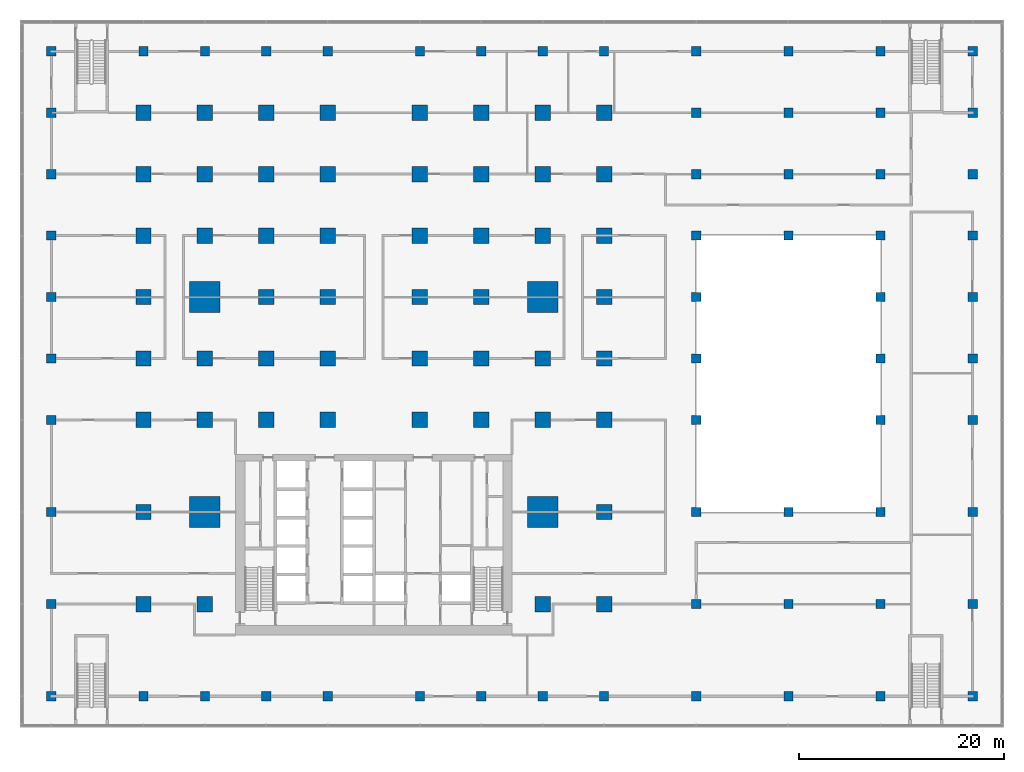
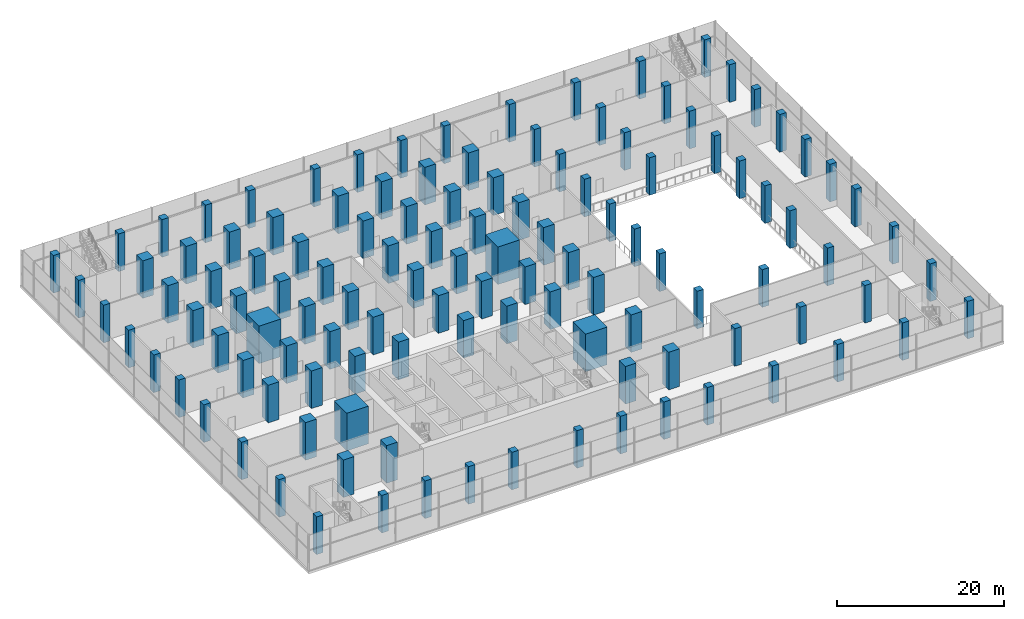
# One storey, part 1 of 22: 119 columns.
"""IFC4 building model written with IfcOpenShell, lengths in metres."""

from ifc_helpers import new_model, si_unit, direction, frame, origin, origin_2d, place, context, subcontext, project, spatial, rectangle, extrude, material, material_profile, profile_set, type_object, element, save


model = new_model("IFC4")

# Units and contexts
model_context = context("Model", 3, precision=1e-05, world=origin(), true_north=direction((0.0, 1.0)))
body_context = subcontext(model_context, "Body", "Model", "MODEL_VIEW")
ifc_project = project(units=[si_unit("LENGTHUNIT", "METRE"), si_unit("AREAUNIT", "SQUARE_METRE"), si_unit("VOLUMEUNIT", "CUBIC_METRE"), si_unit("PLANEANGLEUNIT", "RADIAN"), si_unit("MASSUNIT", "GRAM", prefix="KILO")], contexts=[model_context])

# Site, building, storey
site_placement = place(None, origin())
site = spatial("IfcSite", under=ifc_project, at=site_placement, CompositionType="ELEMENT")
building_placement = place(site_placement, origin())
building = spatial("IfcBuilding", under=site, at=building_placement, Name="Finial Court Residences", CompositionType="ELEMENT")
storey_placement = place(building_placement, frame((0.0, 0.0, 8.0)))
storey = spatial("IfcBuildingStorey", under=building, at=storey_placement, Name="L01", CompositionType="ELEMENT", Elevation=8.0)

# Columns
ifc_material_1 = material(Name="Concrete C80/95", Category="concrete")
ifc_material_profile_1 = material_profile(ifc_material_1, rectangle(XDim=1.5, YDim=1.5, at=origin_2d()), Name="1500x1500")
ifc_profile_set_1 = profile_set([ifc_material_profile_1], Name="Concrete C80/95")
column_type_1 = type_object("IfcColumnType", Name="Interior column 1500x1500 Concrete C80/95", PredefinedType="COLUMN", material=ifc_profile_set_1)
for number, where, z_axis, x_axis, name in (
    (1, (-22.5, -22.5, 0.0), (0.0, 0.0, 1.0), (1.0, 0.0, 0.0), "S:COL:L01:B2"),
    (2, (-22.5, -13.5, 0.0), (0.0, 0.0, 1.0), (1.0, 0.0, 0.0), "S:COL:L01:B3"),
    (3, (-22.5, -4.5, 0.0), (0.0, 0.0, 1.0), (1.0, 0.0, 0.0), "S:COL:L01:B4"),
    (4, (-22.5, 1.5, 0.0), (0.0, 0.0, 1.0), (1.0, 0.0, 0.0), "S:COL:L01:B5"),
    (5, (-22.5, 7.5, 0.0), (0.0, 0.0, 1.0), (1.0, 0.0, 0.0), "S:COL:L01:B6"),
    (6, (-22.5, 13.5, 0.0), (0.0, 0.0, 1.0), (1.0, 0.0, 0.0), "S:COL:L01:B7"),
    (7, (-22.5, 19.5, 0.0), (0.0, 0.0, 1.0), (1.0, 0.0, 0.0), "S:COL:L01:B8"),
    (8, (-22.5, 25.5, 0.0), (0.0, 0.0, 1.0), (1.0, 0.0, 0.0), "S:COL:L01:B9"),
    (9, (-16.5, -22.5, 0.0), (0.0, 0.0, 1.0), (1.0, 0.0, 0.0), "S:COL:L01:C2"),
    (10, (-16.5, -4.5, 0.0), (0.0, 0.0, 1.0), (1.0, 0.0, 0.0), "S:COL:L01:C4"),
    (11, (-16.5, 1.5, 0.0), (0.0, 0.0, 1.0), (1.0, 0.0, 0.0), "S:COL:L01:C5"),
    (12, (-16.5, 13.5, 0.0), (0.0, 0.0, 1.0), (1.0, 0.0, 0.0), "S:COL:L01:C7"),
    (13, (-16.5, 19.5, 0.0), (0.0, 0.0, 1.0), (1.0, 0.0, 0.0), "S:COL:L01:C8"),
    (14, (-16.5, 25.5, 0.0), (0.0, 0.0, 1.0), (1.0, 0.0, 0.0), "S:COL:L01:C9"),
    (15, (-10.5, -4.5, 0.0), (0.0, 0.0, 1.0), (1.0, 0.0, 0.0), "S:COL:L01:D4"),
    (16, (-10.5, 1.5, 0.0), (0.0, 0.0, 1.0), (1.0, 0.0, 0.0), "S:COL:L01:D5"),
    (17, (-10.5, 7.5, 0.0), (0.0, 0.0, 1.0), (1.0, 0.0, 0.0), "S:COL:L01:D6"),
    (18, (-10.5, 13.5, 0.0), (0.0, 0.0, 1.0), (1.0, 0.0, 0.0), "S:COL:L01:D7"),
    (19, (-10.5, 19.5, 0.0), (0.0, 0.0, 1.0), (1.0, 0.0, 0.0), "S:COL:L01:D8"),
    (20, (-10.5, 25.5, 0.0), (0.0, 0.0, 1.0), (1.0, 0.0, 0.0), "S:COL:L01:D9"),
    (21, (-4.5, -4.5, 0.0), (0.0, 0.0, 1.0), (1.0, 0.0, 0.0), "S:COL:L01:E4"),
    (22, (-4.5, 1.5, 0.0), (0.0, 0.0, 1.0), (1.0, 0.0, 0.0), "S:COL:L01:E5"),
    (23, (-4.5, 7.5, 0.0), (0.0, 0.0, 1.0), (1.0, 0.0, 0.0), "S:COL:L01:E6"),
    (24, (-4.5, 13.5, 0.0), (0.0, 0.0, 1.0), (1.0, 0.0, 0.0), "S:COL:L01:E7"),
    (25, (-4.5, 19.5, 0.0), (0.0, 0.0, 1.0), (1.0, 0.0, 0.0), "S:COL:L01:E8"),
    (26, (-4.5, 25.5, 0.0), (0.0, 0.0, 1.0), (1.0, 0.0, 0.0), "S:COL:L01:E9"),
    (27, (4.5, -4.5, 0.0), (0.0, 0.0, 1.0), (1.0, 0.0, 0.0), "S:COL:L01:F4"),
    (28, (4.5, 1.5, 0.0), (0.0, 0.0, 1.0), (1.0, 0.0, 0.0), "S:COL:L01:F5"),
    (29, (4.5, 7.5, 0.0), (0.0, 0.0, 1.0), (1.0, 0.0, 0.0), "S:COL:L01:F6"),
    (30, (4.5, 13.5, 0.0), (0.0, 0.0, 1.0), (1.0, 0.0, 0.0), "S:COL:L01:F7"),
    (31, (4.5, 19.5, 0.0), (0.0, 0.0, 1.0), (1.0, 0.0, 0.0), "S:COL:L01:F8"),
    (32, (4.5, 25.5, 0.0), (0.0, 0.0, 1.0), (1.0, 0.0, 0.0), "S:COL:L01:F9"),
    (33, (10.5, -4.5, 0.0), (0.0, 0.0, 1.0), (1.0, 0.0, 0.0), "S:COL:L01:G4"),
    (34, (10.5, 1.5, 0.0), (0.0, 0.0, 1.0), (1.0, 0.0, 0.0), "S:COL:L01:G5"),
    (35, (10.5, 7.5, 0.0), (0.0, 0.0, 1.0), (1.0, 0.0, 0.0), "S:COL:L01:G6"),
    (36, (10.5, 13.5, 0.0), (0.0, 0.0, 1.0), (1.0, 0.0, 0.0), "S:COL:L01:G7"),
    (37, (10.5, 19.5, 0.0), (0.0, 0.0, 1.0), (1.0, 0.0, 0.0), "S:COL:L01:G8"),
    (38, (10.5, 25.5, 0.0), (0.0, 0.0, 1.0), (1.0, 0.0, 0.0), "S:COL:L01:G9"),
    (39, (16.5, -22.5, 0.0), (0.0, 0.0, 1.0), (1.0, 0.0, 0.0), "S:COL:L01:H2"),
    (40, (16.5, -4.5, 0.0), (0.0, 0.0, 1.0), (1.0, 0.0, 0.0), "S:COL:L01:H4"),
    (41, (16.5, 1.5, 0.0), (0.0, 0.0, 1.0), (1.0, 0.0, 0.0), "S:COL:L01:H5"),
    (42, (16.5, 13.5, 0.0), (0.0, 0.0, 1.0), (1.0, 0.0, 0.0), "S:COL:L01:H7"),
    (43, (16.5, 19.5, 0.0), (0.0, 0.0, 1.0), (1.0, 0.0, 0.0), "S:COL:L01:H8"),
    (44, (16.5, 25.5, 0.0), (0.0, 0.0, 1.0), (1.0, 0.0, 0.0), "S:COL:L01:H9"),
    (45, (22.5, -22.5, 0.0), (0.0, 0.0, 1.0), (1.0, 0.0, 0.0), "S:COL:L01:I2"),
    (46, (22.5, -13.5, 0.0), (0.0, 0.0, 1.0), (1.0, 0.0, 0.0), "S:COL:L01:I3"),
    (47, (22.5, -4.5, 0.0), (0.0, 0.0, 1.0), (1.0, 0.0, 0.0), "S:COL:L01:I4"),
    (48, (22.5, 1.5, 0.0), (0.0, 0.0, 1.0), (1.0, 0.0, 0.0), "S:COL:L01:I5"),
    (49, (22.5, 7.5, 0.0), (0.0, 0.0, 1.0), (1.0, 0.0, 0.0), "S:COL:L01:I6"),
    (50, (22.5, 13.5, 0.0), (0.0, 0.0, 1.0), (1.0, 0.0, 0.0), "S:COL:L01:I7"),
    (51, (22.5, 19.5, 0.0), (0.0, 0.0, 1.0), (1.0, 0.0, 0.0), "S:COL:L01:I8"),
    (52, (22.5, 25.5, 0.0), (0.0, 0.0, 1.0), (1.0, 0.0, 0.0), "S:COL:L01:I9"),
):
    element("IfcColumn", number, at=place(storey_placement, frame(where, z_axis=z_axis, x_axis=x_axis)), inside=storey, type_object=column_type_1, Name=name, PredefinedType="COLUMN", context=body_context, shape_type="SweptSolid", body=[
        extrude(rectangle(XDim=1.5, YDim=1.5, at=origin_2d()), origin(), (0.0, 0.0, 1.0), 5.5),
    ])
ifc_material_profile_2 = material_profile(ifc_material_1, rectangle(XDim=3.0, YDim=3.0, at=origin_2d()), Name="3000x3000")
ifc_profile_set_2 = profile_set([ifc_material_profile_2], Name="Concrete C80/95")
column_type_2 = type_object("IfcColumnType", Name="Mega column 3000x3000 Concrete C80/95", PredefinedType="COLUMN", material=ifc_profile_set_2)
for number, where, z_axis, x_axis, name in (
    (53, (-16.5, -13.5, 0.0), (0.0, 0.0, 1.0), (1.0, 0.0, 0.0), "S:COL:L01:C3"),
    (54, (-16.5, 7.5, 0.0), (0.0, 0.0, 1.0), (1.0, 0.0, 0.0), "S:COL:L01:C6"),
    (55, (16.5, -13.5, 0.0), (0.0, 0.0, 1.0), (1.0, 0.0, 0.0), "S:COL:L01:H3"),
    (56, (16.5, 7.5, 0.0), (0.0, 0.0, 1.0), (1.0, 0.0, 0.0), "S:COL:L01:H6"),
):
    element("IfcColumn", number, at=place(storey_placement, frame(where, z_axis=z_axis, x_axis=x_axis)), inside=storey, type_object=column_type_2, Name=name, PredefinedType="COLUMN", context=body_context, shape_type="SweptSolid", body=[
        extrude(rectangle(XDim=3.0, YDim=3.0, at=origin_2d()), origin(), (0.0, 0.0, 1.0), 5.5),
    ])
ifc_material_2 = material(Name="Concrete C50/60", Category="concrete")
ifc_material_profile_3 = material_profile(ifc_material_2, rectangle(XDim=0.89990234375, YDim=0.89990234375, at=origin_2d()), Name="900x900")
ifc_profile_set_3 = profile_set([ifc_material_profile_3], Name="Concrete C50/60")
column_type_3 = type_object("IfcColumnType", Name="Podium column 900x900 Concrete C50/60", PredefinedType="COLUMN", material=ifc_profile_set_3)
for number, where, z_axis, x_axis, name in (
    (57, (-31.5, -31.5, 0.0), (0.0, 0.0, 1.0), (1.0, 0.0, 0.0), "S:COL:L01:A1"),
    (58, (-31.5, -22.5, 0.0), (0.0, 0.0, 1.0), (1.0, 0.0, 0.0), "S:COL:L01:A2"),
    (59, (-31.5, -13.5, 0.0), (0.0, 0.0, 1.0), (1.0, 0.0, 0.0), "S:COL:L01:A3"),
    (60, (-31.5, -4.5, 0.0), (0.0, 0.0, 1.0), (1.0, 0.0, 0.0), "S:COL:L01:A4"),
    (61, (-31.5, 1.5, 0.0), (0.0, 0.0, 1.0), (1.0, 0.0, 0.0), "S:COL:L01:A5"),
    (62, (-31.5, 7.5, 0.0), (0.0, 0.0, 1.0), (1.0, 0.0, 0.0), "S:COL:L01:A6"),
    (63, (-31.5, 13.5, 0.0), (0.0, 0.0, 1.0), (1.0, 0.0, 0.0), "S:COL:L01:A7"),
    (64, (-31.5, 19.5, 0.0), (0.0, 0.0, 1.0), (1.0, 0.0, 0.0), "S:COL:L01:A8"),
    (65, (-31.5, 25.5, 0.0), (0.0, 0.0, 1.0), (1.0, 0.0, 0.0), "S:COL:L01:A9"),
    (66, (-31.5, 31.5, 0.0), (0.0, 0.0, 1.0), (1.0, 0.0, 0.0), "S:COL:L01:A10"),
    (67, (-22.5, -31.5, 0.0), (0.0, 0.0, 1.0), (1.0, 0.0, 0.0), "S:COL:L01:B1"),
    (68, (-22.5, 31.5, 0.0), (0.0, 0.0, 1.0), (1.0, 0.0, 0.0), "S:COL:L01:B10"),
    (69, (-16.5, -31.5, 0.0), (0.0, 0.0, 1.0), (1.0, 0.0, 0.0), "S:COL:L01:C1"),
    (70, (-16.5, 31.5, 0.0), (0.0, 0.0, 1.0), (1.0, 0.0, 0.0), "S:COL:L01:C10"),
    (71, (-10.5, -31.5, 0.0), (0.0, 0.0, 1.0), (1.0, 0.0, 0.0), "S:COL:L01:D1"),
    (72, (-10.5, 31.5, 0.0), (0.0, 0.0, 1.0), (1.0, 0.0, 0.0), "S:COL:L01:D10"),
    (73, (-4.5, -31.5, 0.0), (0.0, 0.0, 1.0), (1.0, 0.0, 0.0), "S:COL:L01:E1"),
    (74, (-4.5, 31.5, 0.0), (0.0, 0.0, 1.0), (1.0, 0.0, 0.0), "S:COL:L01:E10"),
    (75, (4.5, -31.5, 0.0), (0.0, 0.0, 1.0), (1.0, 0.0, 0.0), "S:COL:L01:F1"),
    (76, (4.5, 31.5, 0.0), (0.0, 0.0, 1.0), (1.0, 0.0, 0.0), "S:COL:L01:F10"),
    (77, (10.5, -31.5, 0.0), (0.0, 0.0, 1.0), (1.0, 0.0, 0.0), "S:COL:L01:G1"),
    (78, (10.5, 31.5, 0.0), (0.0, 0.0, 1.0), (1.0, 0.0, 0.0), "S:COL:L01:G10"),
    (79, (16.5, -31.5, 0.0), (0.0, 0.0, 1.0), (1.0, 0.0, 0.0), "S:COL:L01:H1"),
    (80, (16.5, 31.5, 0.0), (0.0, 0.0, 1.0), (1.0, 0.0, 0.0), "S:COL:L01:H10"),
    (81, (22.5, -31.5, 0.0), (0.0, 0.0, 1.0), (1.0, 0.0, 0.0), "S:COL:L01:I1"),
    (82, (22.5, 31.5, 0.0), (0.0, 0.0, 1.0), (1.0, 0.0, 0.0), "S:COL:L01:I10"),
    (83, (31.5, -31.5, 0.0), (0.0, 0.0, 1.0), (1.0, 0.0, 0.0), "S:COL:L01:J1"),
    (84, (31.5, -22.5, 0.0), (0.0, 0.0, 1.0), (1.0, 0.0, 0.0), "S:COL:L01:J2"),
    (85, (31.5, -13.5, 0.0), (0.0, 0.0, 1.0), (1.0, 0.0, 0.0), "S:COL:L01:J3"),
    (86, (31.5, -4.5, 0.0), (0.0, 0.0, 1.0), (1.0, 0.0, 0.0), "S:COL:L01:J4"),
    (87, (31.5, 1.5, 0.0), (0.0, 0.0, 1.0), (1.0, 0.0, 0.0), "S:COL:L01:J5"),
    (88, (31.5, 7.5, 0.0), (0.0, 0.0, 1.0), (1.0, 0.0, 0.0), "S:COL:L01:J6"),
    (89, (31.5, 13.5, 0.0), (0.0, 0.0, 1.0), (1.0, 0.0, 0.0), "S:COL:L01:J7"),
    (90, (31.5, 19.5, 0.0), (0.0, 0.0, 1.0), (1.0, 0.0, 0.0), "S:COL:L01:J8"),
    (91, (31.5, 25.5, 0.0), (0.0, 0.0, 1.0), (1.0, 0.0, 0.0), "S:COL:L01:J9"),
    (92, (31.5, 31.5, 0.0), (0.0, 0.0, 1.0), (1.0, 0.0, 0.0), "S:COL:L01:J10"),
    (93, (40.5, -31.5, 0.0), (0.0, 0.0, 1.0), (1.0, 0.0, 0.0), "S:COL:L01:K1"),
    (94, (40.5, -22.5, 0.0), (0.0, 0.0, 1.0), (1.0, 0.0, 0.0), "S:COL:L01:K2"),
    (95, (40.5, -13.5, 0.0), (0.0, 0.0, 1.0), (1.0, 0.0, 0.0), "S:COL:L01:K3"),
    (96, (40.5, 13.5, 0.0), (0.0, 0.0, 1.0), (1.0, 0.0, 0.0), "S:COL:L01:K7"),
    (97, (40.5, 19.5, 0.0), (0.0, 0.0, 1.0), (1.0, 0.0, 0.0), "S:COL:L01:K8"),
    (98, (40.5, 25.5, 0.0), (0.0, 0.0, 1.0), (1.0, 0.0, 0.0), "S:COL:L01:K9"),
    (99, (40.5, 31.5, 0.0), (0.0, 0.0, 1.0), (1.0, 0.0, 0.0), "S:COL:L01:K10"),
    (100, (49.5, -31.5, 0.0), (0.0, 0.0, 1.0), (1.0, 0.0, 0.0), "S:COL:L01:L1"),
    (101, (49.5, -22.5, 0.0), (0.0, 0.0, 1.0), (1.0, 0.0, 0.0), "S:COL:L01:L2"),
    (102, (49.5, -13.5, 0.0), (0.0, 0.0, 1.0), (1.0, 0.0, 0.0), "S:COL:L01:L3"),
    (103, (49.5, -4.5, 0.0), (0.0, 0.0, 1.0), (1.0, 0.0, 0.0), "S:COL:L01:L4"),
    (104, (49.5, 1.5, 0.0), (0.0, 0.0, 1.0), (1.0, 0.0, 0.0), "S:COL:L01:L5"),
    (105, (49.5, 7.5, 0.0), (0.0, 0.0, 1.0), (1.0, 0.0, 0.0), "S:COL:L01:L6"),
    (106, (49.5, 13.5, 0.0), (0.0, 0.0, 1.0), (1.0, 0.0, 0.0), "S:COL:L01:L7"),
    (107, (49.5, 19.5, 0.0), (0.0, 0.0, 1.0), (1.0, 0.0, 0.0), "S:COL:L01:L8"),
    (108, (49.5, 25.5, 0.0), (0.0, 0.0, 1.0), (1.0, 0.0, 0.0), "S:COL:L01:L9"),
    (109, (49.5, 31.5, 0.0), (0.0, 0.0, 1.0), (1.0, 0.0, 0.0), "S:COL:L01:L10"),
    (110, (58.5, -31.5, 0.0), (0.0, 0.0, 1.0), (1.0, 0.0, 0.0), "S:COL:L01:M1"),
    (111, (58.5, -22.5, 0.0), (0.0, 0.0, 1.0), (1.0, 0.0, 0.0), "S:COL:L01:M2"),
    (112, (58.5, -13.5, 0.0), (0.0, 0.0, 1.0), (1.0, 0.0, 0.0), "S:COL:L01:M3"),
    (113, (58.5, -4.5, 0.0), (0.0, 0.0, 1.0), (1.0, 0.0, 0.0), "S:COL:L01:M4"),
    (114, (58.5, 1.5, 0.0), (0.0, 0.0, 1.0), (1.0, 0.0, 0.0), "S:COL:L01:M5"),
    (115, (58.5, 7.5, 0.0), (0.0, 0.0, 1.0), (1.0, 0.0, 0.0), "S:COL:L01:M6"),
    (116, (58.5, 13.5, 0.0), (0.0, 0.0, 1.0), (1.0, 0.0, 0.0), "S:COL:L01:M7"),
    (117, (58.5, 19.5, 0.0), (0.0, 0.0, 1.0), (1.0, 0.0, 0.0), "S:COL:L01:M8"),
    (118, (58.5, 25.5, 0.0), (0.0, 0.0, 1.0), (1.0, 0.0, 0.0), "S:COL:L01:M9"),
    (119, (58.5, 31.5, 0.0), (0.0, 0.0, 1.0), (1.0, 0.0, 0.0), "S:COL:L01:M10"),
):
    element("IfcColumn", number, at=place(storey_placement, frame(where, z_axis=z_axis, x_axis=x_axis)), inside=storey, type_object=column_type_3, Name=name, PredefinedType="COLUMN", context=body_context, shape_type="SweptSolid", body=[
        extrude(rectangle(XDim=0.89990234375, YDim=0.89990234375, at=origin_2d()), origin(), (0.0, 0.0, 1.0), 5.5),
    ])

save(model, "model.ifc")
